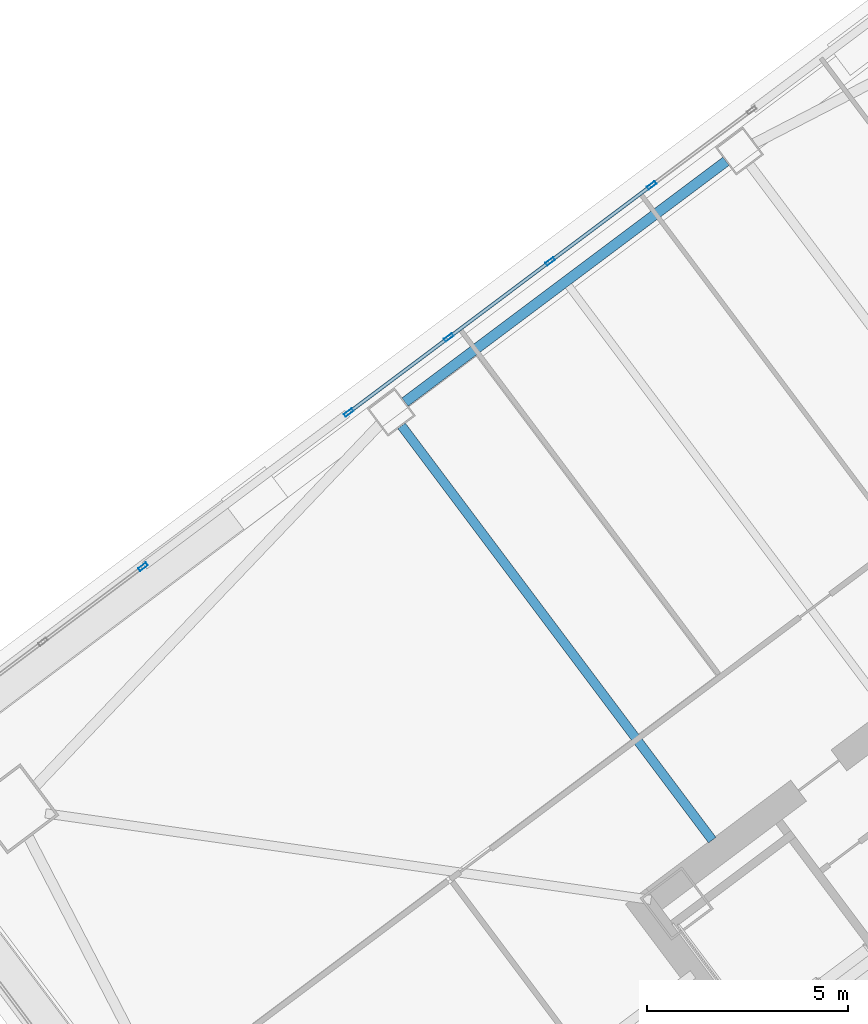
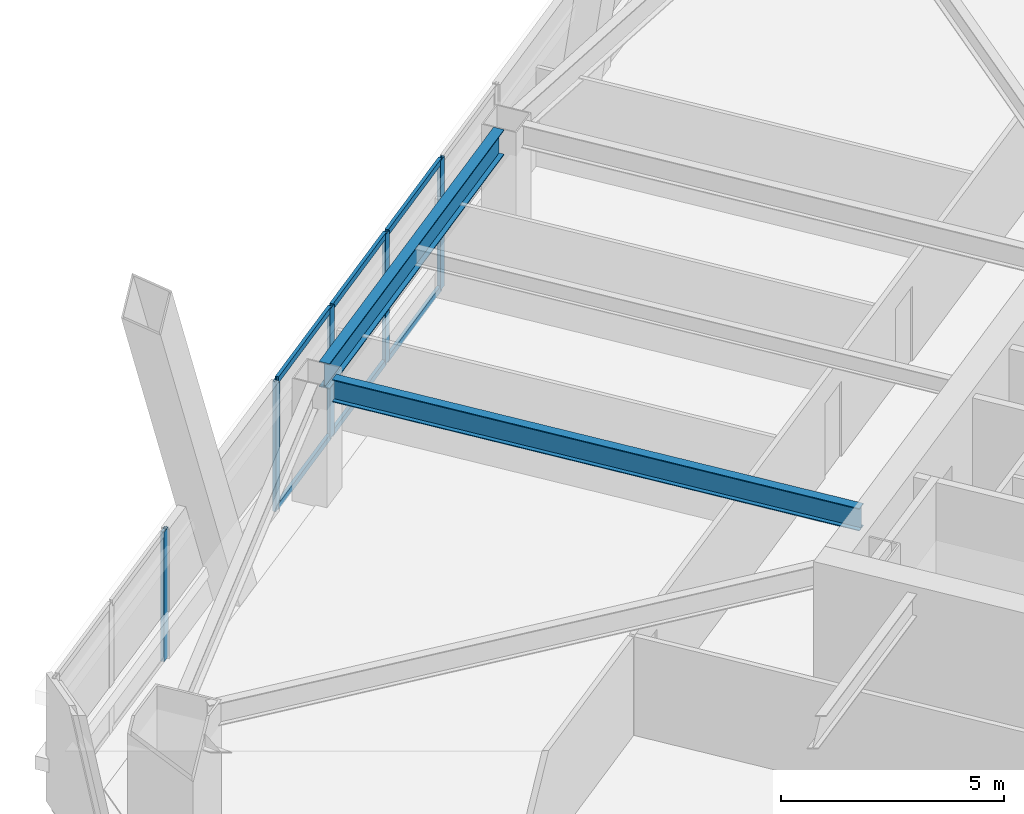
# One storey, part 53 of 75: 11 members, 2 beams, 2 elements without a shape of their own.
"""IFC4 building model written with IfcOpenShell, lengths in metres."""

from ifc_helpers import new_model, si_unit, direction, frame, origin, origin_2d, place, context, subcontext, project, spatial, hollow_rectangle, i_section, extrude, material, material_profile, profile_set, type_object, element, aggregate, save


model = new_model("IFC4")

# Units and contexts
model_context = context("Model", 3, precision=1e-05, world=origin(), true_north=direction((0.0, 1.0)))
body_context = subcontext(model_context, "Body", "Model", "MODEL_VIEW")
ifc_project = project(units=[si_unit("LENGTHUNIT", "METRE"), si_unit("AREAUNIT", "SQUARE_METRE"), si_unit("VOLUMEUNIT", "CUBIC_METRE"), si_unit("PLANEANGLEUNIT", "RADIAN"), si_unit("MASSUNIT", "GRAM", prefix="KILO")], contexts=[model_context])

# Site, building, storey
site_placement = place(None, origin())
site = spatial("IfcSite", under=ifc_project, at=site_placement, CompositionType="ELEMENT")
building_placement = place(site_placement, origin())
building = spatial("IfcBuilding", under=site, at=building_placement, Name="Tashvorn Skyway Center", CompositionType="ELEMENT")
storey_placement = place(building_placement, frame((0.0, 0.0, 45.89990234375)))
storey = spatial("IfcBuildingStorey", under=building, at=storey_placement, Name="L11", CompositionType="ELEMENT", Elevation=45.89990234375)

# Beams
ifc_material_1 = material(Name="Steel ASTM A992 Grade 50", Category="steel")
ifc_material_profile_1 = material_profile(ifc_material_1, i_section(OverallWidth=0.22998046875, OverallDepth=0.616943359375, WebThickness=0.01318359375, FlangeThickness=0.022216796875, at=origin_2d()), Name="W24X94")
ifc_profile_set_1 = profile_set([ifc_material_profile_1], Name="Steel ASTM A992 Grade 50")
beam_type_1 = type_object("IfcBeamType", Name="BM-BEAM-W24X94", PredefinedType="BEAM", material=ifc_profile_set_1)
beam_1_placement = place(storey_placement, frame((97.302001953125, 45.263916015625, 3.04150390625), z_axis=(0.599996960112, -0.800002279907, 0.0), x_axis=(0.800002279907, 0.599996960112, 0.0)))
element("IfcBeam", 1, at=beam_1_placement, inside=storey, type_object=beam_type_1, Name="Tower 2 L11 Primary Floor Girder FC-N2", PredefinedType="BEAM", context=body_context, shape_type="SweptSolid", body=[
    extrude(i_section(OverallWidth=0.22998046875, OverallDepth=0.616943359375, WebThickness=0.01318359375, FlangeThickness=0.022216796875, at=origin_2d()), origin(), (0.0, 0.0, 1.0), 12.85009765625),
])
ifc_material_profile_2 = material_profile(ifc_material_1, i_section(OverallWidth=0.256103515625, OverallDepth=0.693115234375, WebThickness=0.014404296875, FlangeThickness=0.023681640625, at=origin_2d()), Name="W27X114")
ifc_profile_set_2 = profile_set([ifc_material_profile_2], Name="Steel ASTM A992 Grade 50")
beam_type_2 = type_object("IfcBeamType", Name="BM-SPANDREL-W27X114", PredefinedType="SPANDREL", material=ifc_profile_set_2)
beam_2_placement = place(storey_placement, frame((105.35400390625, 51.827880859375, 3.003662109375), z_axis=(-0.800008824351, -0.599988234018, 0.0), x_axis=(0.599988234018, -0.800008824351, 0.0)))
element("IfcBeam", 2, at=beam_2_placement, inside=storey, type_object=beam_type_2, Name="Tower 2 L11 Spandrel Beam 08", PredefinedType="SPANDREL", context=body_context, shape_type="SweptSolid", body=[
    extrude(i_section(OverallWidth=0.256103515625, OverallDepth=0.693115234375, WebThickness=0.014404296875, FlangeThickness=0.023681640625, at=origin_2d()), origin(), (0.0, 0.0, 1.0), 9.9599609375),
])

# Curtain wall, member
ifc_material_2 = material(Name="Thermally broken bronze-anodized aluminium 6063-T6", Category="aluminium")
curtain_wall_type = type_object("IfcCurtainWallType", Name="CW-CW-Z1", PredefinedType="NOTDEFINED", material=ifc_material_2)
curtain_wall_1_placement = place(storey_placement, origin())
curtain_wall_1 = element("IfcCurtainWall", 3, at=curtain_wall_1_placement, inside=storey, type_object=curtain_wall_type, Name="Tower 2 L11 North Unitised Curtain Wall Glazing Group 1", PredefinedType="NOTDEFINED")
ifc_material_profile_3 = material_profile(ifc_material_2, hollow_rectangle(XDim=0.0849609375, YDim=0.239990234375, WallThickness=0.0048828125, at=origin_2d()), Name="ALU-MULL-85x240")
ifc_profile_set_3 = profile_set([ifc_material_profile_3], Name="Thermally broken bronze-anodized aluminium 6063-T6")
member_type_1 = type_object("IfcMemberType", Name="CWM-CW-Z1", PredefinedType="MULLION", material=ifc_profile_set_3)
member_1_placement = place(storey_placement, frame((90.888671875, 41.7666015625, 0.0), z_axis=(0.0, 0.0, 1.0), x_axis=(-0.599997457641, 0.800001906763, 0.0)))
member_1 = element("IfcMember", 4, at=member_1_placement, type_object=member_type_1, Name="CW-Z1 mullion 3", PredefinedType="MULLION", context=body_context, shape_type="SweptSolid", body=[
    extrude(hollow_rectangle(XDim=0.0849609375, YDim=0.239990234375, WallThickness=0.0048828125, at=origin_2d()), origin(), (0.0, 0.0, 1.0), 3.550048828125),
])
aggregate(curtain_wall_1, [member_1])

# Curtain wall, members
curtain_wall_2_placement = place(storey_placement, origin())
curtain_wall_2 = element("IfcCurtainWall", 5, at=curtain_wall_2_placement, inside=storey, type_object=curtain_wall_type, Name="Tower 2 L11 North Unitised Curtain Wall Glazing Group 2", PredefinedType="NOTDEFINED")
member_2_placement = place(storey_placement, frame((95.9912109375, 45.593505859375, 0.0), z_axis=(0.0, 0.0, 1.0), x_axis=(-0.599997457641, 0.800001906763, 0.0)))
member_2 = element("IfcMember", 6, at=member_2_placement, type_object=member_type_1, Name="CW-Z1 mullion 1", PredefinedType="MULLION", context=body_context, shape_type="SweptSolid", body=[
    extrude(hollow_rectangle(XDim=0.0849609375, YDim=0.239990234375, WallThickness=0.0048828125, at=origin_2d()), origin(), (0.0, 0.0, 1.0), 3.550048828125),
])
member_3_placement = place(storey_placement, frame((98.474609375, 47.4560546875, 0.0), z_axis=(0.0, 0.0, 1.0), x_axis=(-0.599997457641, 0.800001906763, 0.0)))
member_3 = element("IfcMember", 7, at=member_3_placement, type_object=member_type_1, Name="CW-Z1 mullion 2", PredefinedType="MULLION", context=body_context, shape_type="SweptSolid", body=[
    extrude(hollow_rectangle(XDim=0.0849609375, YDim=0.239990234375, WallThickness=0.0048828125, at=origin_2d()), origin(), (0.0, 0.0, 1.0), 3.550048828125),
])
member_4_placement = place(storey_placement, frame((100.991943359375, 49.343994140625, 0.0), z_axis=(0.0, 0.0, 1.0), x_axis=(-0.599997457641, 0.800001906763, 0.0)))
member_4 = element("IfcMember", 8, at=member_4_placement, type_object=member_type_1, Name="CW-Z1 mullion 3", PredefinedType="MULLION", context=body_context, shape_type="SweptSolid", body=[
    extrude(hollow_rectangle(XDim=0.0849609375, YDim=0.239990234375, WallThickness=0.0048828125, at=origin_2d()), origin(), (0.0, 0.0, 1.0), 3.550048828125),
])
member_5_placement = place(storey_placement, frame((103.50927734375, 51.23193359375, 0.0), z_axis=(0.0, 0.0, 1.0), x_axis=(-0.599997457641, 0.800001906763, 0.0)))
member_5 = element("IfcMember", 9, at=member_5_placement, type_object=member_type_1, Name="CW-Z1 mullion 4", PredefinedType="MULLION", context=body_context, shape_type="SweptSolid", body=[
    extrude(hollow_rectangle(XDim=0.0849609375, YDim=0.239990234375, WallThickness=0.0048828125, at=origin_2d()), origin(), (0.0, 0.0, 1.0), 3.550048828125),
])
ifc_material_profile_4 = material_profile(ifc_material_2, hollow_rectangle(XDim=0.0849609375, YDim=0.1650390625, WallThickness=0.0048828125, at=origin_2d()), Name="ALU-TRAN-85x165")
ifc_profile_set_4 = profile_set([ifc_material_profile_4], Name="Thermally broken bronze-anodized aluminium 6063-T6")
member_type_2 = type_object("IfcMemberType", Name="CWT-CW-Z1", PredefinedType="USERDEFINED", material=ifc_profile_set_4)
member_6_placement = place(storey_placement, frame((96.025390625, 45.618896484375, 0.04248046875), z_axis=(0.799990296182, 0.600012938206, 0.0), x_axis=(-0.600012938206, 0.799990296182, 0.0)))
member_6 = element("IfcMember", 10, at=member_6_placement, type_object=member_type_2, Name="CW-Z1 transom 1.1", ObjectType="TRANSOM", PredefinedType="USERDEFINED", context=body_context, shape_type="SweptSolid", body=[
    extrude(hollow_rectangle(XDim=0.0849609375, YDim=0.1650390625, WallThickness=0.0048828125, at=origin_2d()), origin(), (0.0, 0.0, 1.0), 3.01904296875),
])
member_7_placement = place(storey_placement, frame((96.025390625, 45.618896484375, 3.507568359375), z_axis=(0.799990296182, 0.600012938206, 0.0), x_axis=(-0.600012938206, 0.799990296182, 0.0)))
member_7 = element("IfcMember", 11, at=member_7_placement, type_object=member_type_2, Name="CW-Z1 transom 1.2", ObjectType="TRANSOM", PredefinedType="USERDEFINED", context=body_context, shape_type="SweptSolid", body=[
    extrude(hollow_rectangle(XDim=0.0849609375, YDim=0.1650390625, WallThickness=0.0048828125, at=origin_2d()), origin(), (0.0, 0.0, 1.0), 3.01904296875),
])
member_8_placement = place(storey_placement, frame((98.508544921875, 47.4814453125, 0.04248046875), z_axis=(0.799990431589, 0.60001275767, 0.0), x_axis=(-0.60001275767, 0.799990431589, 0.0)))
member_8 = element("IfcMember", 12, at=member_8_placement, type_object=member_type_2, Name="CW-Z1 transom 2.1", ObjectType="TRANSOM", PredefinedType="USERDEFINED", context=body_context, shape_type="SweptSolid", body=[
    extrude(hollow_rectangle(XDim=0.0849609375, YDim=0.1650390625, WallThickness=0.0048828125, at=origin_2d()), origin(), (0.0, 0.0, 1.0), 3.061767578125),
])
member_9_placement = place(storey_placement, frame((98.508544921875, 47.4814453125, 3.507568359375), z_axis=(0.799990431589, 0.60001275767, 0.0), x_axis=(-0.60001275767, 0.799990431589, 0.0)))
member_9 = element("IfcMember", 13, at=member_9_placement, type_object=member_type_2, Name="CW-Z1 transom 2.2", ObjectType="TRANSOM", PredefinedType="USERDEFINED", context=body_context, shape_type="SweptSolid", body=[
    extrude(hollow_rectangle(XDim=0.0849609375, YDim=0.1650390625, WallThickness=0.0048828125, at=origin_2d()), origin(), (0.0, 0.0, 1.0), 3.061767578125),
])
member_10_placement = place(storey_placement, frame((101.02587890625, 49.369384765625, 0.04248046875), z_axis=(0.799990431589, 0.60001275767, 0.0), x_axis=(-0.60001275767, 0.799990431589, 0.0)))
member_10 = element("IfcMember", 14, at=member_10_placement, type_object=member_type_2, Name="CW-Z1 transom 3.1", ObjectType="TRANSOM", PredefinedType="USERDEFINED", context=body_context, shape_type="SweptSolid", body=[
    extrude(hollow_rectangle(XDim=0.0849609375, YDim=0.1650390625, WallThickness=0.0048828125, at=origin_2d()), origin(), (0.0, 0.0, 1.0), 3.061767578125),
])
member_11_placement = place(storey_placement, frame((101.02587890625, 49.369384765625, 3.507568359375), z_axis=(0.799990431589, 0.60001275767, 0.0), x_axis=(-0.60001275767, 0.799990431589, 0.0)))
member_11 = element("IfcMember", 15, at=member_11_placement, type_object=member_type_2, Name="CW-Z1 transom 3.2", ObjectType="TRANSOM", PredefinedType="USERDEFINED", context=body_context, shape_type="SweptSolid", body=[
    extrude(hollow_rectangle(XDim=0.0849609375, YDim=0.1650390625, WallThickness=0.0048828125, at=origin_2d()), origin(), (0.0, 0.0, 1.0), 3.061767578125),
])
aggregate(curtain_wall_2, [member_2, member_3, member_4, member_5, member_6, member_7, member_8, member_9, member_10, member_11])

save(model, "model.ifc")
